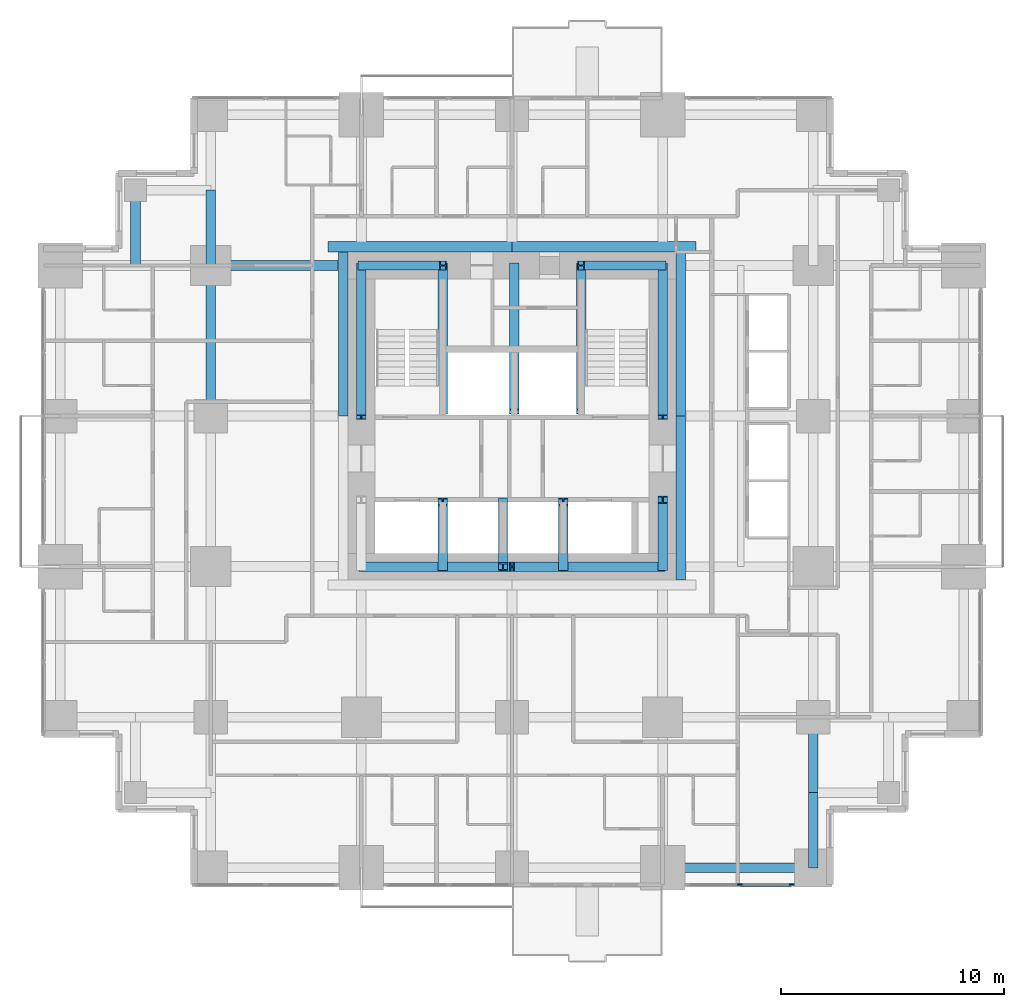
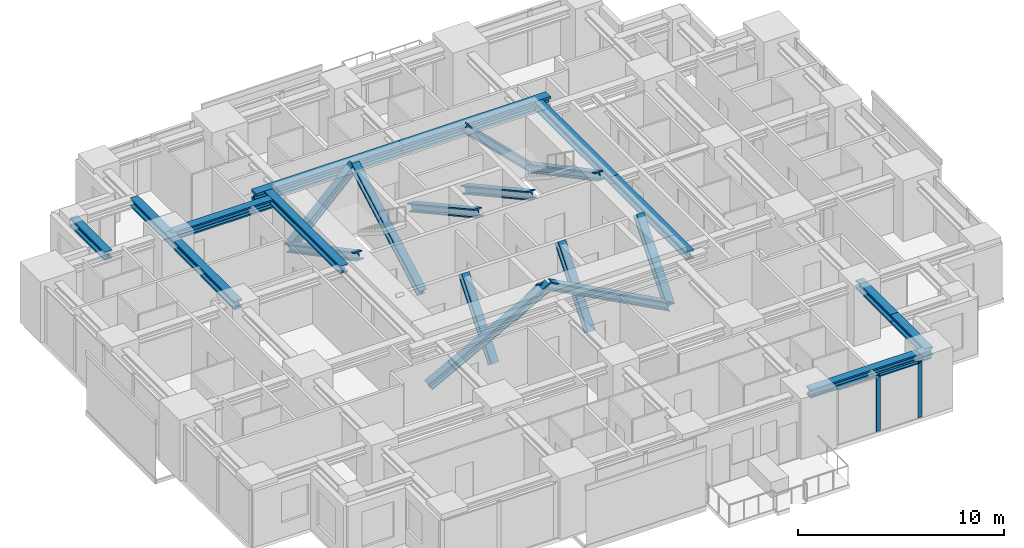
# One storey, part 3 of 12: 16 members, 12 beams, 1 element without a shape of its own.
"""IFC4 building model written with IfcOpenShell, lengths in metres."""

from ifc_helpers import new_model, si_unit, direction, frame, origin, origin_2d, place, context, subcontext, project, spatial, rectangle, i_section, extrude, material, material_profile, profile_set, type_object, element, aggregate, save


model = new_model("IFC4")

# Units and contexts
model_context = context("Model", 3, precision=1e-05, world=origin(), true_north=direction((0.0, 1.0)))
body_context = subcontext(model_context, "Body", "Model", "MODEL_VIEW")
ifc_project = project(units=[si_unit("LENGTHUNIT", "METRE"), si_unit("AREAUNIT", "SQUARE_METRE"), si_unit("VOLUMEUNIT", "CUBIC_METRE"), si_unit("PLANEANGLEUNIT", "RADIAN"), si_unit("MASSUNIT", "GRAM", prefix="KILO")], contexts=[model_context])

# Site, building, storey
site_placement = place(None, origin())
site = spatial("IfcSite", under=ifc_project, at=site_placement, CompositionType="ELEMENT")
building_placement = place(site_placement, origin())
building = spatial("IfcBuilding", under=site, at=building_placement, Name="Nyansa Garden Tower", CompositionType="ELEMENT")
storey_placement = place(building_placement, frame((0.0, 0.0, 134.10009765625)))
storey = spatial("IfcBuildingStorey", under=building, at=storey_placement, Name="L36", CompositionType="ELEMENT", Elevation=134.10009765625)

# Curtain wall, members
ifc_material_1 = material(Name="Black anodised aluminium, dark tinted double glazing", Category="aluminium")
curtain_wall_type = type_object("IfcCurtainWallType", Name="Inner skin curtain wall ISW-B", PredefinedType="USERDEFINED", material=ifc_material_1)
curtain_wall_placement = place(storey_placement, origin())
curtain_wall = element("IfcCurtainWall", 1, at=curtain_wall_placement, inside=storey, type_object=curtain_wall_type, Name="Inner skin curtain wall L36 S", ObjectType="UNITISED CURTAIN WALL", PredefinedType="USERDEFINED")
ifc_material_2 = material(Name="Black anodised aluminium", Category="aluminium")
ifc_material_profile_1 = material_profile(ifc_material_2, rectangle(XDim=0.06494140625, YDim=0.22509765625, at=origin_2d()), Name="Mullion 225x65")
ifc_profile_set_1 = profile_set([ifc_material_profile_1], Name="Black anodised aluminium")
member_type_1 = type_object("IfcMemberType", Name="Mullion ISW-B 225x65", PredefinedType="MULLION", material=ifc_profile_set_1)
member_1_placement = place(storey_placement, frame((30.449951171875, -0.75, 0.0), z_axis=(0.0, 0.0, 1.0), x_axis=(0.0, 1.0, 0.0)))
member_1 = element("IfcMember", 2, at=member_1_placement, type_object=member_type_1, Name="ISW-B mullion 2", PredefinedType="MULLION", context=body_context, shape_type="SweptSolid", body=[
    extrude(rectangle(XDim=0.06494140625, YDim=0.22509765625, at=origin_2d()), origin(), (0.0, 0.0, 1.0), 3.2998046875),
])
member_2_placement = place(storey_placement, frame((32.78759765625, -0.75, 0.0), z_axis=(0.0, 0.0, 1.0), x_axis=(0.0, 1.0, 0.0)))
member_2 = element("IfcMember", 3, at=member_2_placement, type_object=member_type_1, Name="ISW-B mullion 3", PredefinedType="MULLION", context=body_context, shape_type="SweptSolid", body=[
    extrude(rectangle(XDim=0.06494140625, YDim=0.22509765625, at=origin_2d()), origin(), (0.0, 0.0, 1.0), 3.2998046875),
])

# Members
ifc_material_3 = material(Name="Steel S355", Category="steel")
ifc_material_profile_2 = material_profile(ifc_material_3, i_section(OverallWidth=0.41796875, OverallDepth=0.455078125, WebThickness=0.0419921875, FlangeThickness=0.067626953125, FilletRadius=0.014892578125, at=origin_2d()), Name="HD 400x463")
ifc_profile_set_2 = profile_set([ifc_material_profile_2], Name="Steel S355")
member_type_2 = type_object("IfcMemberType", Name="Perimeter brace HD 400x463", PredefinedType="BRACE", material=ifc_profile_set_2)
for number, where, z_axis, x_axis, name in (
    (4, (13.5, 13.5, 0.0), (0.882360891967, 0.0, 0.470573327259), (0.0, 1.0, 0.0), "Core brace CS1 L36"),
    (5, (27.0, 13.5, 0.0), (-0.882360891967, 0.0, 0.470573327259), (0.0, -1.0, 0.0), "Core brace CS2 L36"),
):
    element("IfcMember", number, at=place(storey_placement, frame(where, z_axis=z_axis, x_axis=x_axis)), inside=storey, type_object=member_type_2, Name=name, PredefinedType="BRACE", context=body_context, shape_type="SweptSolid", body=[
        extrude(i_section(OverallWidth=0.41796875, OverallDepth=0.455078125, WebThickness=0.0419921875, FlangeThickness=0.067626953125, FilletRadius=0.014892578125, at=origin_2d()), origin(), (0.0, 0.0, 1.0), 7.64990234375),
    ])
for number, where, z_axis, x_axis, name in (
    (6, (13.5, 27.0, 0.0), (0.711971340796, 0.0, 0.702208523079), (0.0, 1.0, 0.0), "Core brace CN3 L36"),
    (7, (27.0, 27.0, 0.0), (-0.711971340796, 0.0, 0.702208523079), (0.0, -1.0, 0.0), "Core brace CN4 L36"),
):
    element("IfcMember", number, at=place(storey_placement, frame(where, z_axis=z_axis, x_axis=x_axis)), inside=storey, type_object=member_type_2, Name=name, PredefinedType="BRACE", context=body_context, shape_type="SweptSolid", body=[
        extrude(i_section(OverallWidth=0.41796875, OverallDepth=0.455078125, WebThickness=0.0419921875, FlangeThickness=0.067626953125, FilletRadius=0.014892578125, at=origin_2d()), origin(), (0.0, 0.0, 1.0), 5.12646484375),
    ])
member_3_placement = place(storey_placement, frame((13.5, 27.0, 0.0), z_axis=(0.0, -0.883797178129, 0.467870225524), x_axis=(1.0, 0.0, 0.0)))
element("IfcMember", 8, at=member_3_placement, inside=storey, type_object=member_type_2, Name="Core brace CW6 L36", PredefinedType="BRACE", context=body_context, shape_type="SweptSolid", body=[
    extrude(i_section(OverallWidth=0.41796875, OverallDepth=0.455078125, WebThickness=0.0419921875, FlangeThickness=0.067626953125, FilletRadius=0.014892578125, at=origin_2d()), origin(), (0.0, 0.0, 1.0), 7.694091796875),
])
member_4_placement = place(storey_placement, frame((27.0, 13.5, 0.0), z_axis=(0.0, 0.640199773186, 0.768208468069), x_axis=(-1.0, 0.0, 0.0)))
element("IfcMember", 9, at=member_4_placement, inside=storey, type_object=member_type_2, Name="Core brace CE7 L36", PredefinedType="BRACE", context=body_context, shape_type="SweptSolid", body=[
    extrude(i_section(OverallWidth=0.41796875, OverallDepth=0.455078125, WebThickness=0.0419921875, FlangeThickness=0.067626953125, FilletRadius=0.014892578125, at=origin_2d()), origin(), (0.0, 0.0, 1.0), 4.68603515625),
])
member_5_placement = place(storey_placement, frame((27.0, 27.0, 0.0), z_axis=(0.0, -0.883797178129, 0.467870225524), x_axis=(1.0, 0.0, 0.0)))
element("IfcMember", 10, at=member_5_placement, inside=storey, type_object=member_type_2, Name="Core brace CE8 L36", PredefinedType="BRACE", context=body_context, shape_type="SweptSolid", body=[
    extrude(i_section(OverallWidth=0.41796875, OverallDepth=0.455078125, WebThickness=0.0419921875, FlangeThickness=0.067626953125, FilletRadius=0.014892578125, at=origin_2d()), origin(), (0.0, 0.0, 1.0), 7.694091796875),
])
for number, where, z_axis, x_axis, name in (
    (11, (17.14990234375, 20.449951171875, 0.0), (0.0, 0.876366901673, 0.481644115143), (-1.0, 0.0, 0.0), "Core brace CWS9 L36"),
    (12, (23.35009765625, 27.0, 0.0), (0.0, -0.876366901673, 0.481644115143), (1.0, 0.0, 0.0), "Core brace CES10 L36"),
):
    element("IfcMember", number, at=place(storey_placement, frame(where, z_axis=z_axis, x_axis=x_axis)), inside=storey, type_object=member_type_2, Name=name, PredefinedType="BRACE", context=body_context, shape_type="SweptSolid", body=[
        extrude(i_section(OverallWidth=0.41796875, OverallDepth=0.455078125, WebThickness=0.0419921875, FlangeThickness=0.067626953125, FilletRadius=0.014892578125, at=origin_2d()), origin(), (0.0, 0.0, 1.0), 7.47412109375),
    ])
for number, where, z_axis, x_axis, name in (
    (13, (17.14990234375, 13.5, 0.0), (0.0, 0.627332207022, 0.778751758928), (-1.0, 0.0, 0.0), "Core brace CSW11 L36"),
    (14, (19.85009765625, 16.39990234375, 0.0), (0.0, -0.627332207022, 0.778751758928), (1.0, 0.0, 0.0), "Core brace CSW12 L36"),
    (15, (22.550048828125, 13.5, 0.0), (0.0, 0.627332207022, 0.778751758928), (-1.0, 0.0, 0.0), "Core brace CSW13 L36"),
):
    element("IfcMember", number, at=place(storey_placement, frame(where, z_axis=z_axis, x_axis=x_axis)), inside=storey, type_object=member_type_2, Name=name, PredefinedType="BRACE", context=body_context, shape_type="SweptSolid", body=[
        extrude(i_section(OverallWidth=0.41796875, OverallDepth=0.455078125, WebThickness=0.0419921875, FlangeThickness=0.067626953125, FilletRadius=0.014892578125, at=origin_2d()), origin(), (0.0, 0.0, 1.0), 4.62255859375),
    ])
member_6_placement = place(storey_placement, frame((20.35009765625, 27.0, 0.0), z_axis=(0.0, -0.876366901673, 0.481644115143), x_axis=(1.0, 0.0, 0.0)))
element("IfcMember", 16, at=member_6_placement, inside=storey, type_object=member_type_2, Name="Core brace CNW14 L36", PredefinedType="BRACE", context=body_context, shape_type="SweptSolid", body=[
    extrude(i_section(OverallWidth=0.41796875, OverallDepth=0.455078125, WebThickness=0.0419921875, FlangeThickness=0.067626953125, FilletRadius=0.014892578125, at=origin_2d()), origin(), (0.0, 0.0, 1.0), 7.47412109375),
])

# Beams
ifc_material_4 = material(Name="Steel S355", Category="steel")
ifc_material_profile_3 = material_profile(ifc_material_4, i_section(OverallWidth=0.431884765625, OverallDepth=0.498046875, WebThickness=0.0556640625, FlangeThickness=0.0888671875, FilletRadius=0.014892578125, at=origin_2d()), Name="HD 400x744")
ifc_profile_set_3 = profile_set([ifc_material_profile_3], Name="Steel S355")
beam_type_1 = type_object("IfcBeamType", Name="Steel beam SBB2-744 HD 400x744", PredefinedType="BEAM", material=ifc_profile_set_3)
beam_1_placement = place(storey_placement, frame((6.75, 20.25, 3.05078125), z_axis=(0.0, 1.0, 0.0), x_axis=(-1.0, 0.0, 0.0)))
element("IfcBeam", 17, at=beam_1_placement, inside=storey, type_object=beam_type_1, Name="Steel beam 3/G-3/H L37", PredefinedType="BEAM", context=body_context, shape_type="SweptSolid", body=[
    extrude(i_section(OverallWidth=0.431884765625, OverallDepth=0.498046875, WebThickness=0.0556640625, FlangeThickness=0.0888671875, FilletRadius=0.014892578125, at=origin_2d()), origin(), (0.0, 0.0, 1.0), 6.75),
])
for number, where, z_axis, x_axis, name in (
    (18, (6.75, 27.0, 3.05078125), (0.0, 1.0, 0.0), (-1.0, 0.0, 0.0), "Steel beam 3/H-3/30.375 L37"),
    (19, (33.75, 3.375, 3.05078125), (0.0, 1.0, 0.0), (-1.0, 0.0, 0.0), "Steel beam 7/3.375-7/E L37"),
):
    element("IfcBeam", number, at=place(storey_placement, frame(where, z_axis=z_axis, x_axis=x_axis)), inside=storey, type_object=beam_type_1, Name=name, PredefinedType="BEAM", context=body_context, shape_type="SweptSolid", body=[
        extrude(i_section(OverallWidth=0.431884765625, OverallDepth=0.498046875, WebThickness=0.0556640625, FlangeThickness=0.0888671875, FilletRadius=0.014892578125, at=origin_2d()), origin(), (0.0, 0.0, 1.0), 3.375),
    ])
ifc_material_5 = material(Name="Steel S355", Category="steel")
ifc_material_profile_4 = material_profile(ifc_material_5, i_section(OverallWidth=0.431884765625, OverallDepth=0.498046875, WebThickness=0.0556640625, FlangeThickness=0.0888671875, FilletRadius=0.014892578125, at=origin_2d()), Name="HD 400x744")
ifc_profile_set_4 = profile_set([ifc_material_profile_4], Name="Steel S355")
beam_type_2 = type_object("IfcBeamType", Name="Steel beam SEBB-744 HD 400x744", PredefinedType="BEAM", material=ifc_profile_set_4)
beam_2_placement = place(storey_placement, frame((27.0, 0.0, 3.05078125), z_axis=(1.0, 0.0, 0.0), x_axis=(0.0, 1.0, 0.0)))
element("IfcBeam", 20, at=beam_2_placement, inside=storey, type_object=beam_type_2, Name="Steel edge beam 6/D-7/D L37", PredefinedType="BEAM", context=body_context, shape_type="SweptSolid", body=[
    extrude(i_section(OverallWidth=0.431884765625, OverallDepth=0.498046875, WebThickness=0.0556640625, FlangeThickness=0.0888671875, FilletRadius=0.014892578125, at=origin_2d()), origin(), (0.0, 0.0, 1.0), 6.75),
])
ifc_material_6 = material(Name="Steel S355", Category="steel")
ifc_material_profile_5 = material_profile(ifc_material_6, i_section(OverallWidth=0.431884765625, OverallDepth=0.498046875, WebThickness=0.0556640625, FlangeThickness=0.0888671875, FilletRadius=0.014892578125, at=origin_2d()), Name="HD 400x744")
ifc_profile_set_5 = profile_set([ifc_material_profile_5], Name="Steel S355")
beam_type_3 = type_object("IfcBeamType", Name="Steel beam SEBB2-744 HD 400x744", PredefinedType="BEAM", material=ifc_profile_set_5)
beam_3_placement = place(storey_placement, frame((33.75, 0.0, 3.05078125), z_axis=(0.0, 1.0, 0.0), x_axis=(-1.0, 0.0, 0.0)))
element("IfcBeam", 21, at=beam_3_placement, inside=storey, type_object=beam_type_3, Name="Steel edge beam 7/D-7/3.375 L37", PredefinedType="BEAM", context=body_context, shape_type="SweptSolid", body=[
    extrude(i_section(OverallWidth=0.431884765625, OverallDepth=0.498046875, WebThickness=0.0556640625, FlangeThickness=0.0888671875, FilletRadius=0.014892578125, at=origin_2d()), origin(), (0.0, 0.0, 1.0), 3.375),
])
ifc_material_7 = material(Name="Steel S355", Category="steel")
ifc_material_profile_6 = material_profile(ifc_material_7, i_section(OverallWidth=0.47607421875, OverallDepth=0.60009765625, WebThickness=0.10009765625, FlangeThickness=0.139892578125, FilletRadius=0.014892578125, at=origin_2d()), Name="HD 400x1299")
ifc_profile_set_6 = profile_set([ifc_material_profile_6], Name="Steel S355")
beam_type_4 = type_object("IfcBeamType", Name="Steel beam SLB1-1299 HD 400x1299", PredefinedType="BEAM", material=ifc_profile_set_6)
for number, where, z_axis, x_axis, name in (
    (22, (28.5, 27.837890625, 3.0), (-1.0, 0.0, 0.0), (0.0, -1.0, 0.0), "Steel core ledger beam N.1 L37"),
    (23, (20.25, 27.837890625, 3.0), (-1.0, 0.0, 0.0), (0.0, -1.0, 0.0), "Steel core ledger beam N.2 L37"),
):
    element("IfcBeam", number, at=place(storey_placement, frame(where, z_axis=z_axis, x_axis=x_axis)), inside=storey, type_object=beam_type_4, Name=name, PredefinedType="BEAM", context=body_context, shape_type="SweptSolid", body=[
        extrude(i_section(OverallWidth=0.47607421875, OverallDepth=0.60009765625, WebThickness=0.10009765625, FlangeThickness=0.139892578125, FilletRadius=0.014892578125, at=origin_2d()), origin(), (0.0, 0.0, 1.0), 8.25),
    ])
ifc_material_8 = material(Name="Steel S355", Category="steel")
ifc_material_profile_7 = material_profile(ifc_material_8, i_section(OverallWidth=0.431884765625, OverallDepth=0.498046875, WebThickness=0.0556640625, FlangeThickness=0.0888671875, FilletRadius=0.014892578125, at=origin_2d()), Name="HD 400x744")
ifc_profile_set_7 = profile_set([ifc_material_profile_7], Name="Steel S355")
beam_type_5 = type_object("IfcBeamType", Name="Steel beam SLB1-744 HD 400x744", PredefinedType="BEAM", material=ifc_profile_set_7)
for number, where, z_axis, x_axis, name in (
    (24, (27.81591796875, 12.89990234375, 3.05078125), (0.0, 1.0, 0.0), (-1.0, 0.0, 0.0), "Steel core ledger beam E.1 L37"),
    (25, (27.81591796875, 20.25, 3.05078125), (0.0, 1.0, 0.0), (-1.0, 0.0, 0.0), "Steel core ledger beam E.2 L37"),
    (26, (12.68408203125, 27.60009765625, 3.05078125), (0.0, -1.0, 0.0), (1.0, 0.0, 0.0), "Steel core ledger beam W.1 L37"),
):
    element("IfcBeam", number, at=place(storey_placement, frame(where, z_axis=z_axis, x_axis=x_axis)), inside=storey, type_object=beam_type_5, Name=name, PredefinedType="BEAM", context=body_context, shape_type="SweptSolid", body=[
        extrude(i_section(OverallWidth=0.431884765625, OverallDepth=0.498046875, WebThickness=0.0556640625, FlangeThickness=0.0888671875, FilletRadius=0.014892578125, at=origin_2d()), origin(), (0.0, 0.0, 1.0), 7.35009765625),
    ])
ifc_material_9 = material(Name="Steel S355", Category="steel")
ifc_material_profile_8 = material_profile(ifc_material_9, i_section(OverallWidth=0.431884765625, OverallDepth=0.498046875, WebThickness=0.0556640625, FlangeThickness=0.0888671875, FilletRadius=0.014892578125, at=origin_2d()), Name="HD 400x744")
ifc_profile_set_8 = profile_set([ifc_material_profile_8], Name="Steel S355")
beam_type_6 = type_object("IfcBeamType", Name="Steel beam SOC1-744 HD 400x744", PredefinedType="BEAM", material=ifc_profile_set_8)
beam_4_placement = place(storey_placement, frame((6.75, 27.0, 3.05078125), z_axis=(1.0, 0.0, 0.0), x_axis=(0.0, 1.0, 0.0)))
element("IfcBeam", 27, at=beam_4_placement, inside=storey, type_object=beam_type_6, Name="Steel beam 3/H-12.450/H L37", PredefinedType="BEAM", context=body_context, shape_type="SweptSolid", body=[
    extrude(i_section(OverallWidth=0.431884765625, OverallDepth=0.498046875, WebThickness=0.0556640625, FlangeThickness=0.0888671875, FilletRadius=0.014892578125, at=origin_2d()), origin(), (0.0, 0.0, 1.0), 5.699951171875),
])
ifc_material_10 = material(Name="Steel S355", Category="steel")
ifc_material_profile_9 = material_profile(ifc_material_10, i_section(OverallWidth=0.431884765625, OverallDepth=0.498046875, WebThickness=0.0556640625, FlangeThickness=0.0888671875, FilletRadius=0.014892578125, at=origin_2d()), Name="HD 400x744")
ifc_profile_set_9 = profile_set([ifc_material_profile_9], Name="Steel S355")
beam_type_7 = type_object("IfcBeamType", Name="Steel beam SSB1-744 HD 400x744", PredefinedType="BEAM", material=ifc_profile_set_9)
beam_5_placement = place(storey_placement, frame((3.375, 30.375, 3.05078125), z_axis=(0.0, -1.0, 0.0), x_axis=(1.0, 0.0, 0.0)))
element("IfcBeam", 28, at=beam_5_placement, inside=storey, type_object=beam_type_7, Name="Steel step beam 3.375/30.375 L37", PredefinedType="BEAM", context=body_context, shape_type="SweptSolid", body=[
    extrude(i_section(OverallWidth=0.431884765625, OverallDepth=0.498046875, WebThickness=0.0556640625, FlangeThickness=0.0888671875, FilletRadius=0.014892578125, at=origin_2d()), origin(), (0.0, 0.0, 1.0), 3.375),
])

# Member
ifc_material_11 = material(Name="Black anodised aluminium", Category="aluminium")
ifc_material_profile_10 = material_profile(ifc_material_11, rectangle(XDim=0.1650390625, YDim=0.06494140625, at=origin_2d()), Name="Transom 165x65")
ifc_profile_set_10 = profile_set([ifc_material_profile_10], Name="Black anodised aluminium")
member_type_3 = type_object("IfcMemberType", Name="Transom ISW-B 165x65", PredefinedType="USERDEFINED", material=ifc_profile_set_10)
member_7_placement = place(storey_placement, frame((30.482421875, -0.75, 3.267333984375), z_axis=(1.0, 0.0, 0.0), x_axis=(0.0, 1.0, 0.0)))
member_7 = element("IfcMember", 29, at=member_7_placement, type_object=member_type_3, Name="ISW-B transom 2", ObjectType="TRANSOM", PredefinedType="USERDEFINED", context=body_context, shape_type="SweptSolid", body=[
    extrude(rectangle(XDim=0.1650390625, YDim=0.06494140625, at=origin_2d()), origin(), (0.0, 0.0, 1.0), 2.2724609375),
])

aggregate(curtain_wall, [member_1, member_2, member_7])

save(model, "model.ifc")
